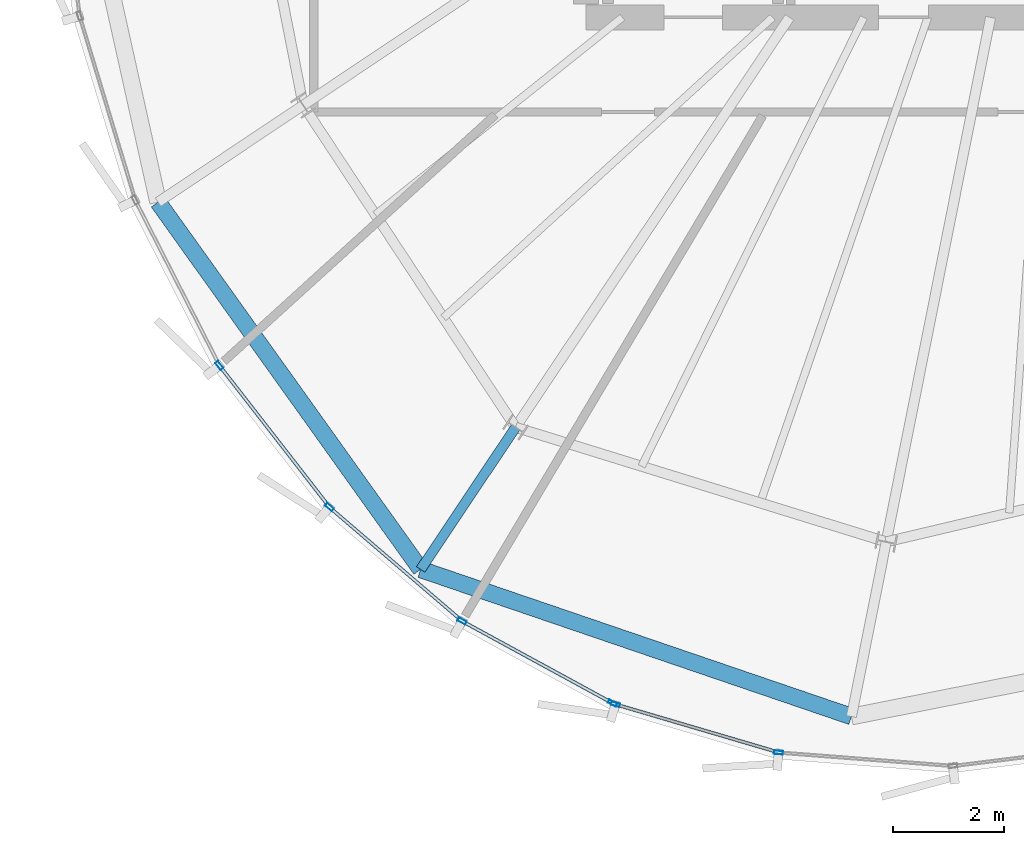
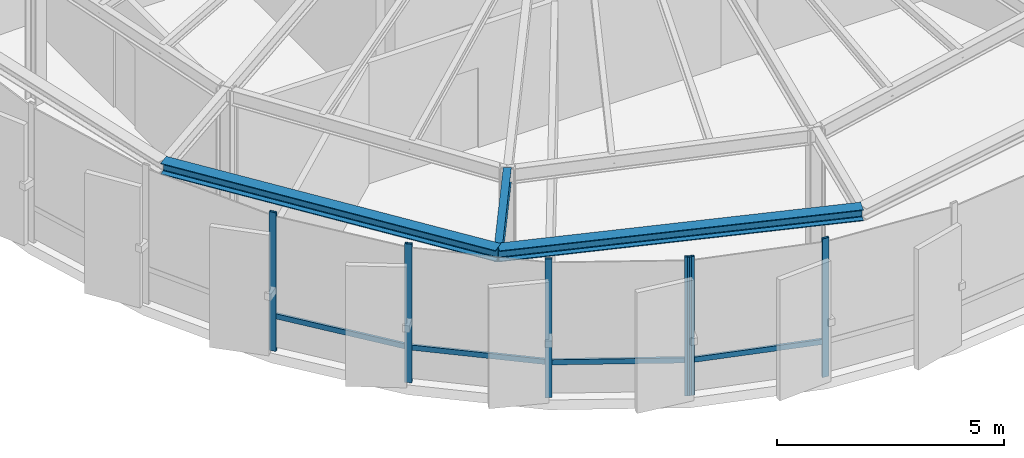
# One storey, part 2 of 25: 10 members, 3 beams, 2 elements without a shape of their own.
"""IFC4 building model written with IfcOpenShell, lengths in metres."""

from ifc_helpers import new_model, si_unit, direction, frame, origin, origin_2d, place, context, subcontext, project, spatial, hollow_rectangle, i_section, extrude, source, transform, mapped, material, layer, layer_set, material_profile, profile_set, type_object, element, aggregate, save


model = new_model("IFC4")

# Units and contexts
model_context = context("Model", 3, precision=1e-05, world=origin(), true_north=direction((0.0, 1.0)))
body_context = subcontext(model_context, "Body", "Model", "MODEL_VIEW")
ifc_project = project(units=[si_unit("LENGTHUNIT", "METRE"), si_unit("AREAUNIT", "SQUARE_METRE"), si_unit("VOLUMEUNIT", "CUBIC_METRE"), si_unit("PLANEANGLEUNIT", "RADIAN"), si_unit("MASSUNIT", "GRAM", prefix="KILO"), si_unit("THERMODYNAMICTEMPERATUREUNIT", "KELVIN")], contexts=[model_context])

# Site, building, storey
site_placement = place(None, origin())
site = spatial("IfcSite", under=ifc_project, at=site_placement, CompositionType="ELEMENT")
building_placement = place(site_placement, origin())
building = spatial("IfcBuilding", under=site, at=building_placement, Name="Kethvar Cultural Tower", CompositionType="ELEMENT")
storey_placement = place(building_placement, frame((0.0, 0.0, 304.300048828125)))
storey = spatial("IfcBuildingStorey", under=building, at=storey_placement, Name="L81", CompositionType="ELEMENT", Elevation=304.300048828125)

# Beams
ifc_material_1 = material(Name="Steel S355J2", Category="steel")
ifc_material_profile_1 = material_profile(ifc_material_1, i_section(OverallWidth=0.179931640625, OverallDepth=0.39990234375, WebThickness=0.008544921875, FlangeThickness=0.013427734375, FilletRadius=0.02099609375, at=origin_2d()), Name="Steel S355J2 — IPE400")
ifc_profile_set_1 = profile_set([ifc_material_profile_1], Name="Steel S355J2 — IPE400")
beam_type_1 = type_object("IfcBeamType", Name="BM-IPE400", PredefinedType="BEAM", material=ifc_profile_set_1)
shared_shape_1 = source(origin(), body_context, "Body", "SweptSolid", [
    extrude(i_section(OverallWidth=0.179931640625, OverallDepth=0.39990234375, WebThickness=0.008544921875, FlangeThickness=0.013427734375, FilletRadius=0.02099609375, at=origin_2d()), origin(), (0.0, 0.0, 1.0), 3.072265625),
])
beam_1_placement = place(storey_placement, frame((36.731201171875, 12.73095703125, 3.532958984375), z_axis=(-0.55556182236, -0.831475232064, 0.0), x_axis=(0.831475232064, -0.55556182236, 0.0)))
element("IfcBeam", 1, at=beam_1_placement, inside=storey, type_object=beam_type_1, Name="L81 Perimeter Cantilever Beam RC-11", PredefinedType="BEAM", context=body_context, shape_type="MappedRepresentation", body=[
    mapped(shared_shape_1, transform((0.0, 0.0, 0.0), scale=1.0)),
])
ifc_material_profile_2 = material_profile(ifc_material_1, i_section(OverallWidth=0.300048828125, OverallDepth=0.300048828125, WebThickness=0.010986328125, FlangeThickness=0.01904296875, FilletRadius=0.027099609375, at=origin_2d()), Name="Steel S355J2 — HEB300")
ifc_profile_set_2 = profile_set([ifc_material_profile_2], Name="Steel S355J2 — HEB300")
beam_type_2 = type_object("IfcBeamType", Name="BM-SP300", PredefinedType="SPANDREL", material=ifc_profile_set_2)
shared_shape_2 = source(origin(), body_context, "Body", "SweptSolid", [
    extrude(i_section(OverallWidth=0.300048828125, OverallDepth=0.300048828125, WebThickness=0.010986328125, FlangeThickness=0.01904296875, FilletRadius=0.027099609375, at=origin_2d()), origin(), (0.0, 0.0, 1.0), 8.115234375),
])
beam_2_placement = place(storey_placement, frame((30.30517578125, 16.778564453125, 3.5830078125), z_axis=(0.581522736072, -0.813530151519, 0.0), x_axis=(0.813530151519, 0.581522736072, 0.0)))
element("IfcBeam", 2, at=beam_2_placement, inside=storey, type_object=beam_type_2, Name="L81 Perimeter Spandrel Beam SP-10", PredefinedType="SPANDREL", context=body_context, shape_type="MappedRepresentation", body=[
    mapped(shared_shape_2, transform((0.0, 0.0, 0.0), scale=1.0)),
])
shared_shape_3 = source(origin(), body_context, "Body", "SweptSolid", [
    extrude(i_section(OverallWidth=0.300048828125, OverallDepth=0.300048828125, WebThickness=0.010986328125, FlangeThickness=0.01904296875, FilletRadius=0.027099609375, at=origin_2d()), origin(), (0.0, 0.0, 1.0), 8.18310546875),
])
beam_3_placement = place(storey_placement, frame((35.0244140625, 10.176513671875, 3.5830078125), z_axis=(0.946370104581, -0.323084547998, 0.0), x_axis=(0.323084547998, 0.946370104581, 0.0)))
element("IfcBeam", 3, at=beam_3_placement, inside=storey, type_object=beam_type_2, Name="L81 Perimeter Spandrel Beam SP-11", PredefinedType="SPANDREL", context=body_context, shape_type="MappedRepresentation", body=[
    mapped(shared_shape_3, transform((0.0, 0.0, 0.0), scale=1.0)),
])

# Curtain wall, members
ifc_material_2 = material(Name="Aluminium 6063-T6", Category="aluminium")
ifc_layer = layer(ifc_material_2, 0.179931640625, Name="Aluminium 6063-T6", Category="aluminium")
ifc_layer_set = layer_set([ifc_layer], Name="Aluminium 6063-T6 (180 mm)")
curtain_wall_type = type_object("IfcCurtainWallType", Name="CW-SYS-06-CROWN", PredefinedType="NOTDEFINED", material=ifc_layer_set)
curtain_wall_1_placement = place(storey_placement, origin())
curtain_wall_1 = element("IfcCurtainWall", 4, at=curtain_wall_1_placement, inside=storey, type_object=curtain_wall_type, Name="L81 Curtain Wall Run 03", PredefinedType="NOTDEFINED")
ifc_material_profile_3 = material_profile(ifc_material_2, hollow_rectangle(XDim=0.06494140625, YDim=0.159912109375, WallThickness=0.0048828125, at=origin_2d()), Name="Aluminium 6063-T6 — RHS160x65x5")
ifc_profile_set_3 = profile_set([ifc_material_profile_3], Name="Aluminium 6063-T6 — RHS160x65x5")
member_type_1 = type_object("IfcMemberType", Name="CW-SYS-06-CROWN-MUL", PredefinedType="MULLION", material=ifc_profile_set_3)
shared_shape_4 = source(origin(), body_context, "Body", "SweptSolid", [
    extrude(hollow_rectangle(XDim=0.06494140625, YDim=0.159912109375, WallThickness=0.0048828125, at=origin_2d()), origin(), (0.0, 0.0, 1.0), 3.73486328125),
])
member_1_placement = place(storey_placement, frame((31.405517578125, 13.8427734375, 0.0), z_axis=(0.0, 0.0, 1.0), x_axis=(0.789427043325, 0.613844396624, 0.0)))
member_1 = element("IfcMember", 5, at=member_1_placement, type_object=member_type_1, Name="CW-L81-R03 Mullion 4", PredefinedType="MULLION", context=body_context, shape_type="MappedRepresentation", body=[
    mapped(shared_shape_4, transform((0.0, 0.0, 0.0), scale=1.0)),
])
member_2_placement = place(storey_placement, frame((33.3837890625, 11.294677734375, 0.0), z_axis=(0.0, 0.0, 1.0), x_axis=(0.650800720438, 0.759248590567, 0.0)))
member_2 = element("IfcMember", 6, at=member_2_placement, type_object=member_type_1, Name="CW-L81-R03 Mullion 5", PredefinedType="MULLION", context=body_context, shape_type="MappedRepresentation", body=[
    mapped(shared_shape_4, transform((0.0, 0.0, 0.0), scale=1.0)),
])
member_3_placement = place(storey_placement, frame((35.76806640625, 9.24755859375, 0.0), z_axis=(0.0, 0.0, 1.0), x_axis=(0.478553938792, 0.878058157337, 0.0)))
member_3 = element("IfcMember", 7, at=member_3_placement, type_object=member_type_1, Name="CW-L81-R03 Mullion 6", PredefinedType="MULLION", context=body_context, shape_type="MappedRepresentation", body=[
    mapped(shared_shape_4, transform((0.0, 0.0, 0.0), scale=1.0)),
])
member_4_placement = place(storey_placement, frame((38.472900390625, 7.773193359375, 0.0), z_axis=(0.0, 0.0, 1.0), x_axis=(0.478553938792, 0.878058157337, 0.0)))
member_4 = element("IfcMember", 8, at=member_4_placement, type_object=member_type_1, Name="CW-L81-R03 Mullion 7", PredefinedType="MULLION", context=body_context, shape_type="MappedRepresentation", body=[
    mapped(shared_shape_4, transform((0.0, 0.0, 0.0), scale=1.0)),
])

curtain_wall_2_placement = place(storey_placement, origin())
curtain_wall_2 = element("IfcCurtainWall", 9, at=curtain_wall_2_placement, inside=storey, type_object=curtain_wall_type, Name="L81 Curtain Wall Run 04", PredefinedType="NOTDEFINED")
member_5_placement = place(storey_placement, frame((38.527099609375, 7.7509765625, 0.0), z_axis=(0.0, 0.0, 1.0), x_axis=(0.28247539959, 0.959274542885, 0.0)))
member_5 = element("IfcMember", 10, at=member_5_placement, type_object=member_type_1, Name="CW-L81-R04 Mullion 1", PredefinedType="MULLION", context=body_context, shape_type="MappedRepresentation", body=[
    mapped(shared_shape_4, transform((0.0, 0.0, 0.0), scale=1.0)),
])
member_6_placement = place(storey_placement, frame((41.45751953125, 6.88525390625, 0.0), z_axis=(0.0, 0.0, 1.0), x_axis=(0.076719028127, 0.997052752227, 0.0)))
member_6 = element("IfcMember", 11, at=member_6_placement, type_object=member_type_1, Name="CW-L81-R04 Mullion 2", PredefinedType="MULLION", context=body_context, shape_type="MappedRepresentation", body=[
    mapped(shared_shape_4, transform((0.0, 0.0, 0.0), scale=1.0)),
])

# Member
ifc_material_profile_4 = material_profile(ifc_material_2, hollow_rectangle(XDim=0.06005859375, YDim=0.139892578125, WallThickness=0.0048828125, at=origin_2d()), Name="Aluminium 6063-T6 — RHS140x60x5")
ifc_profile_set_4 = profile_set([ifc_material_profile_4], Name="Aluminium 6063-T6 — RHS140x60x5")
member_type_2 = type_object("IfcMemberType", Name="CW-SYS-06-CROWN-TRN", PredefinedType="USERDEFINED", material=ifc_profile_set_4)
shared_shape_5 = source(origin(), body_context, "Body", "SweptSolid", [
    extrude(hollow_rectangle(XDim=0.06005859375, YDim=0.139892578125, WallThickness=0.0048828125, at=origin_2d()), origin(), (0.0, 0.0, 1.0), 3.15625),
])
member_7_placement = place(storey_placement, frame((31.434326171875, 13.805908203125, 0.949951171875), z_axis=(0.613844219782, -0.789427180834, 0.0), x_axis=(0.789427180834, 0.613844219782, 0.0)))
member_7 = element("IfcMember", 12, at=member_7_placement, type_object=member_type_2, Name="CW-L81-R03 Transom 4", ObjectType="TRANSOM", PredefinedType="USERDEFINED", context=body_context, shape_type="MappedRepresentation", body=[
    mapped(shared_shape_5, transform((0.0, 0.0, 0.0), scale=1.0)),
])

shared_shape_6 = source(origin(), body_context, "Body", "SweptSolid", [
    extrude(hollow_rectangle(XDim=0.06005859375, YDim=0.139892578125, WallThickness=0.0048828125, at=origin_2d()), origin(), (0.0, 0.0, 1.0), 3.073974609375),
])
member_8_placement = place(storey_placement, frame((33.41943359375, 11.26416015625, 0.949951171875), z_axis=(0.759267814674, -0.650778292201, 0.0), x_axis=(0.650778292201, 0.759267814674, 0.0)))
member_8 = element("IfcMember", 13, at=member_8_placement, type_object=member_type_2, Name="CW-L81-R03 Transom 5", ObjectType="TRANSOM", PredefinedType="USERDEFINED", context=body_context, shape_type="MappedRepresentation", body=[
    mapped(shared_shape_6, transform((0.0, 0.0, 0.0), scale=1.0)),
])

shared_shape_7 = source(origin(), body_context, "Body", "SweptSolid", [
    extrude(hollow_rectangle(XDim=0.06005859375, YDim=0.139892578125, WallThickness=0.0048828125, at=origin_2d()), origin(), (0.0, 0.0, 1.0), 3.029296875),
])
member_9_placement = place(storey_placement, frame((35.80908203125, 9.22509765625, 0.949951171875), z_axis=(0.878055682227, -0.478558480134, 0.0), x_axis=(0.478558480134, 0.878055682227, 0.0)))
member_9 = element("IfcMember", 14, at=member_9_placement, type_object=member_type_2, Name="CW-L81-R03 Transom 6", ObjectType="TRANSOM", PredefinedType="USERDEFINED", context=body_context, shape_type="MappedRepresentation", body=[
    mapped(shared_shape_7, transform((0.0, 0.0, 0.0), scale=1.0)),
])

aggregate(curtain_wall_1, [member_1, member_2, member_3, member_4, member_7, member_8, member_9])

shared_shape_8 = source(origin(), body_context, "Body", "SweptSolid", [
    extrude(hollow_rectangle(XDim=0.06005859375, YDim=0.139892578125, WallThickness=0.0048828125, at=origin_2d()), origin(), (0.0, 0.0, 1.0), 3.029052734375),
])
member_10_placement = place(storey_placement, frame((38.531494140625, 7.74951171875, 0.949951171875), z_axis=(0.959269191002, -0.282493573724, 0.0), x_axis=(0.282493573724, 0.959269191002, 0.0)))
member_10 = element("IfcMember", 15, at=member_10_placement, type_object=member_type_2, Name="CW-L81-R04 Transom 1", ObjectType="TRANSOM", PredefinedType="USERDEFINED", context=body_context, shape_type="MappedRepresentation", body=[
    mapped(shared_shape_8, transform((0.0, 0.0, 0.0), scale=1.0)),
])

aggregate(curtain_wall_2, [member_5, member_6, member_10])

save(model, "model.ifc")
